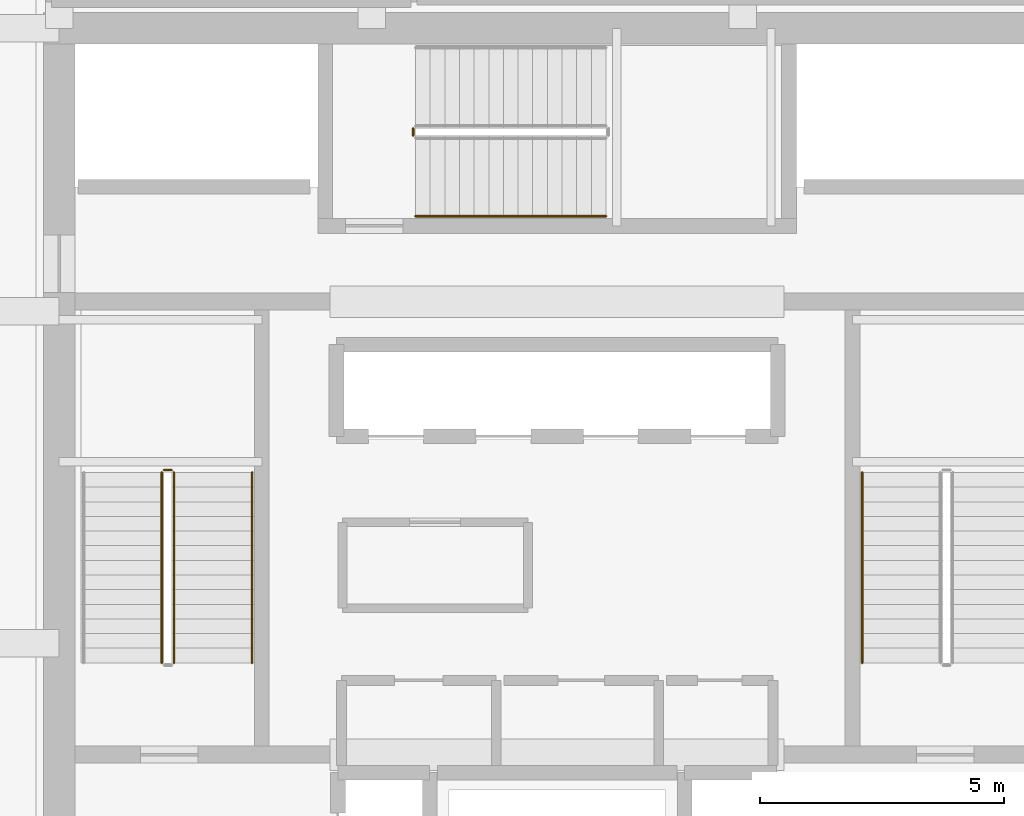
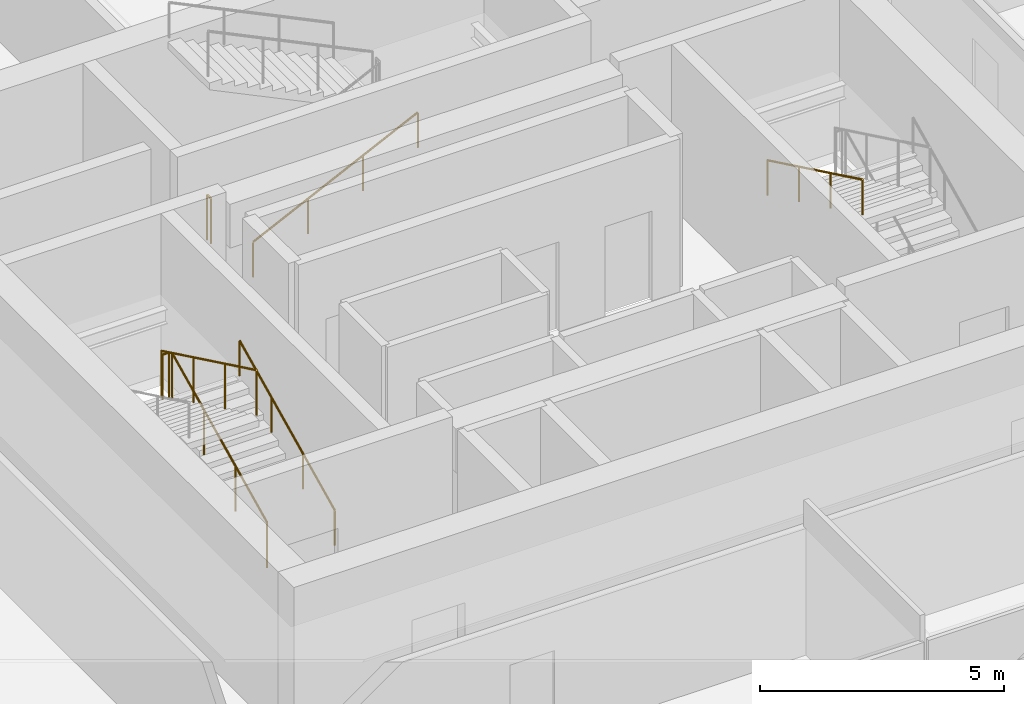
# One storey, part 24 of 32: 7 railings.
"""IFC4 building model written with IfcOpenShell, lengths in metres."""

from ifc_helpers import new_model, si_unit, direction, frame, origin, origin_2d, place, context, subcontext, project, spatial, circle, extrude, material, type_object, element, save


model = new_model("IFC4")

# Units and contexts
model_context = context("Model", 3, precision=1e-05, world=origin(), true_north=direction((0.0, 1.0)))
body_context = subcontext(model_context, "Body", "Model", "MODEL_VIEW")
ifc_project = project(units=[si_unit("LENGTHUNIT", "METRE"), si_unit("AREAUNIT", "SQUARE_METRE"), si_unit("VOLUMEUNIT", "CUBIC_METRE"), si_unit("PLANEANGLEUNIT", "RADIAN"), si_unit("MASSUNIT", "GRAM", prefix="KILO")], contexts=[model_context])

# Site, building, storey
site_placement = place(None, origin())
site = spatial("IfcSite", under=ifc_project, at=site_placement, CompositionType="ELEMENT")
building_placement = place(site_placement, origin())
building = spatial("IfcBuilding", under=site, at=building_placement, Name="Punatoya Terracotta Tower", CompositionType="ELEMENT")
storey_placement = place(building_placement, frame((0.0, 0.0, 139.800048828125)))
storey = spatial("IfcBuildingStorey", under=building, at=storey_placement, Name="L32", CompositionType="ELEMENT", Elevation=139.800048828125)

# Railings
ifc_material = material(Name="Steel S355", Category="steel")
railing_type_1 = type_object("IfcRailingType", Name="RLG-GRD-1150", PredefinedType="GUARDRAIL", material=ifc_material)
railing_1_placement = place(storey_placement, frame((-7.85009765625, -3.800048828125, 0.14453125)))
element("IfcRailing", 1, at=railing_1_placement, inside=storey, type_object=railing_type_1, Name="L32 ST-1 stair guard 1", PredefinedType="GUARDRAIL", context=body_context, shape_type="SweptSolid", body=[
    extrude(circle(Radius=0.02392578125, at=origin_2d()), frame((0.0, 0.0, 1.1259765625), z_axis=(0.0, 0.900773802044, 0.434288564841), x_axis=(-1.0, 0.0, 0.0)), (0.0, 0.0, 1.0), 4.329833984375),
    extrude(circle(Radius=0.02099609375, at=origin_2d()), origin(), (0.0, 0.0, 1.0), 1.101806640625),
    extrude(circle(Radius=0.02099609375, at=origin_2d()), frame((0.0, 1.300048828125, 0.626708984375)), (0.0, 0.0, 1.0), 1.101806640625),
    extrude(circle(Radius=0.02099609375, at=origin_2d()), frame((0.0, 2.60009765625, 1.253662109375)), (0.0, 0.0, 1.0), 1.101806640625),
    extrude(circle(Radius=0.02099609375, at=origin_2d()), frame((0.0, 3.900146484375, 1.88037109375)), (0.0, 0.0, 1.0), 1.101806640625),
])
railing_2_placement = place(storey_placement, frame((-7.89990234375, 0.14990234375, 2.02490234375)))
element("IfcRailing", 2, at=railing_2_placement, inside=storey, type_object=railing_type_1, Name="L32 ST-1 stair guard 2", PredefinedType="GUARDRAIL", context=body_context, shape_type="SweptSolid", body=[
    extrude(circle(Radius=0.02392578125, at=origin_2d()), frame((0.0, 0.0, 1.1259765625), z_axis=(-1.0, 0.0, 0.0), x_axis=(0.0, -1.0, 0.0)), (0.0, 0.0, 1.0), 0.150146484375),
    extrude(circle(Radius=0.02099609375, at=origin_2d()), origin(), (0.0, 0.0, 1.0), 1.101806640625),
    extrude(circle(Radius=0.02099609375, at=origin_2d()), frame((-0.150146484375, 0.0, 0.0)), (0.0, 0.0, 1.0), 1.101806640625),
])
railing_3_placement = place(storey_placement, frame((-8.10009765625, 0.10009765625, 2.169677734375)))
element("IfcRailing", 3, at=railing_3_placement, inside=storey, type_object=railing_type_1, Name="L32 ST-1 stair guard 3", PredefinedType="GUARDRAIL", context=body_context, shape_type="SweptSolid", body=[
    extrude(circle(Radius=0.02392578125, at=origin_2d()), frame((0.0, 0.0, 1.1259765625), z_axis=(0.0, -0.900773802044, 0.434288564841), x_axis=(1.0, 0.0, 0.0)), (0.0, 0.0, 1.0), 4.329833984375),
    extrude(circle(Radius=0.02099609375, at=origin_2d()), origin(), (0.0, 0.0, 1.0), 1.101806640625),
    extrude(circle(Radius=0.02099609375, at=origin_2d()), frame((0.0, -1.300048828125, 0.626708984375)), (0.0, 0.0, 1.0), 1.101806640625),
    extrude(circle(Radius=0.02099609375, at=origin_2d()), frame((0.0, -2.60009765625, 1.253662109375)), (0.0, 0.0, 1.0), 1.101806640625),
    extrude(circle(Radius=0.02099609375, at=origin_2d()), frame((0.0, -3.900146484375, 1.88037109375)), (0.0, 0.0, 1.0), 1.101806640625),
])
railing_4_placement = place(storey_placement, frame((-2.949951171875, 7.0, 0.0)))
element("IfcRailing", 4, at=railing_4_placement, inside=storey, type_object=railing_type_1, Name="L32 ST-3 stair guard 4", PredefinedType="GUARDRAIL", context=body_context, shape_type="SweptSolid", body=[
    extrude(circle(Radius=0.02392578125, at=origin_2d()), frame((0.0, 0.0, 1.1259765625), z_axis=(0.0, 1.0, 0.0), x_axis=(-1.0, 0.0, 0.0)), (0.0, 0.0, 1.0), 0.14990234375),
    extrude(circle(Radius=0.02099609375, at=origin_2d()), origin(), (0.0, 0.0, 1.0), 1.101806640625),
    extrude(circle(Radius=0.02099609375, at=origin_2d()), frame((0.0, 0.14990234375, 0.0)), (0.0, 0.0, 1.0), 1.101806640625),
])
railing_type_2 = type_object("IfcRailingType", Name="RLG-HND-900", PredefinedType="HANDRAIL", material=ifc_material)
railing_5_placement = place(storey_placement, frame((-6.25, -3.800048828125, 0.14453125)))
element("IfcRailing", 5, at=railing_5_placement, inside=storey, type_object=railing_type_2, Name="L32 ST-1 stair handrail 1", PredefinedType="HANDRAIL", context=body_context, shape_type="SweptSolid", body=[
    extrude(circle(Radius=0.02392578125, at=origin_2d()), frame((0.0, 0.0, 0.8759765625), z_axis=(0.0, 0.900773802044, 0.434288564841), x_axis=(-1.0, 0.0, 0.0)), (0.0, 0.0, 1.0), 4.329833984375),
    extrude(circle(Radius=0.02099609375, at=origin_2d()), origin(), (0.0, 0.0, 1.0), 0.851806640625),
    extrude(circle(Radius=0.02099609375, at=origin_2d()), frame((0.0, 1.300048828125, 0.626708984375)), (0.0, 0.0, 1.0), 0.851806640625),
    extrude(circle(Radius=0.02099609375, at=origin_2d()), frame((0.0, 2.60009765625, 1.253662109375)), (0.0, 0.0, 1.0), 0.851806640625),
    extrude(circle(Radius=0.02099609375, at=origin_2d()), frame((0.0, 3.900146484375, 1.88037109375)), (0.0, 0.0, 1.0), 0.851806640625),
])
railing_6_placement = place(storey_placement, frame((6.25, 0.10009765625, 2.169677734375)))
element("IfcRailing", 6, at=railing_6_placement, inside=storey, type_object=railing_type_2, Name="L32 ST-2 stair handrail 2", PredefinedType="HANDRAIL", context=body_context, shape_type="SweptSolid", body=[
    extrude(circle(Radius=0.02392578125, at=origin_2d()), frame((0.0, 0.0, 0.8759765625), z_axis=(0.0, -0.900773802044, 0.434288564841), x_axis=(1.0, 0.0, 0.0)), (0.0, 0.0, 1.0), 4.329833984375),
    extrude(circle(Radius=0.02099609375, at=origin_2d()), origin(), (0.0, 0.0, 1.0), 0.851806640625),
    extrude(circle(Radius=0.02099609375, at=origin_2d()), frame((0.0, -1.300048828125, 0.626708984375)), (0.0, 0.0, 1.0), 0.851806640625),
    extrude(circle(Radius=0.02099609375, at=origin_2d()), frame((0.0, -2.60009765625, 1.253662109375)), (0.0, 0.0, 1.0), 0.851806640625),
    extrude(circle(Radius=0.02099609375, at=origin_2d()), frame((0.0, -3.900146484375, 1.88037109375)), (0.0, 0.0, 1.0), 0.851806640625),
])
railing_7_placement = place(storey_placement, frame((-2.89990234375, 5.35009765625, 0.14453125)))
element("IfcRailing", 7, at=railing_7_placement, inside=storey, type_object=railing_type_2, Name="L32 ST-3 stair handrail 1", PredefinedType="HANDRAIL", context=body_context, shape_type="SweptSolid", body=[
    extrude(circle(Radius=0.02392578125, at=origin_2d()), frame((0.0, 0.0, 0.8759765625), z_axis=(0.900763166376, 0.0, 0.434310623978), x_axis=(0.0, 1.0, 0.0)), (0.0, 0.0, 1.0), 4.32958984375),
    extrude(circle(Radius=0.02099609375, at=origin_2d()), origin(), (0.0, 0.0, 1.0), 0.851806640625),
    extrude(circle(Radius=0.02099609375, at=origin_2d()), frame((1.300048828125, 0.0, 0.626708984375)), (0.0, 0.0, 1.0), 0.851806640625),
    extrude(circle(Radius=0.02099609375, at=origin_2d()), frame((2.599853515625, 0.0, 1.253662109375)), (0.0, 0.0, 1.0), 0.851806640625),
    extrude(circle(Radius=0.02099609375, at=origin_2d()), frame((3.89990234375, 0.0, 1.88037109375)), (0.0, 0.0, 1.0), 0.851806640625),
])

save(model, "model.ifc")
